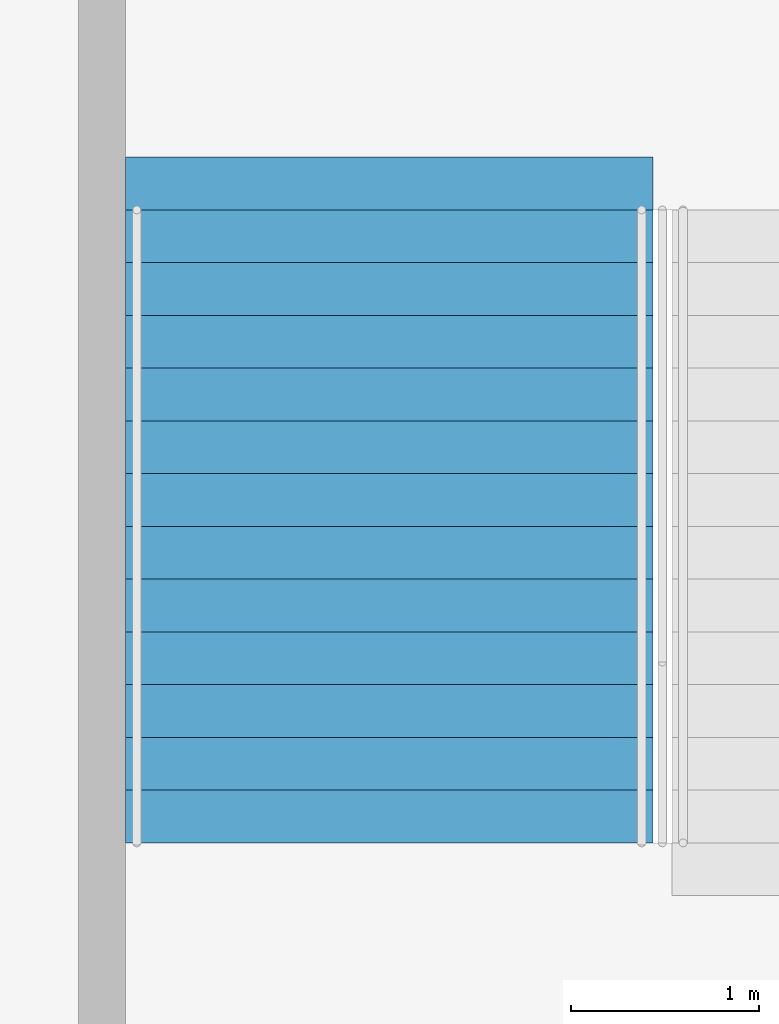
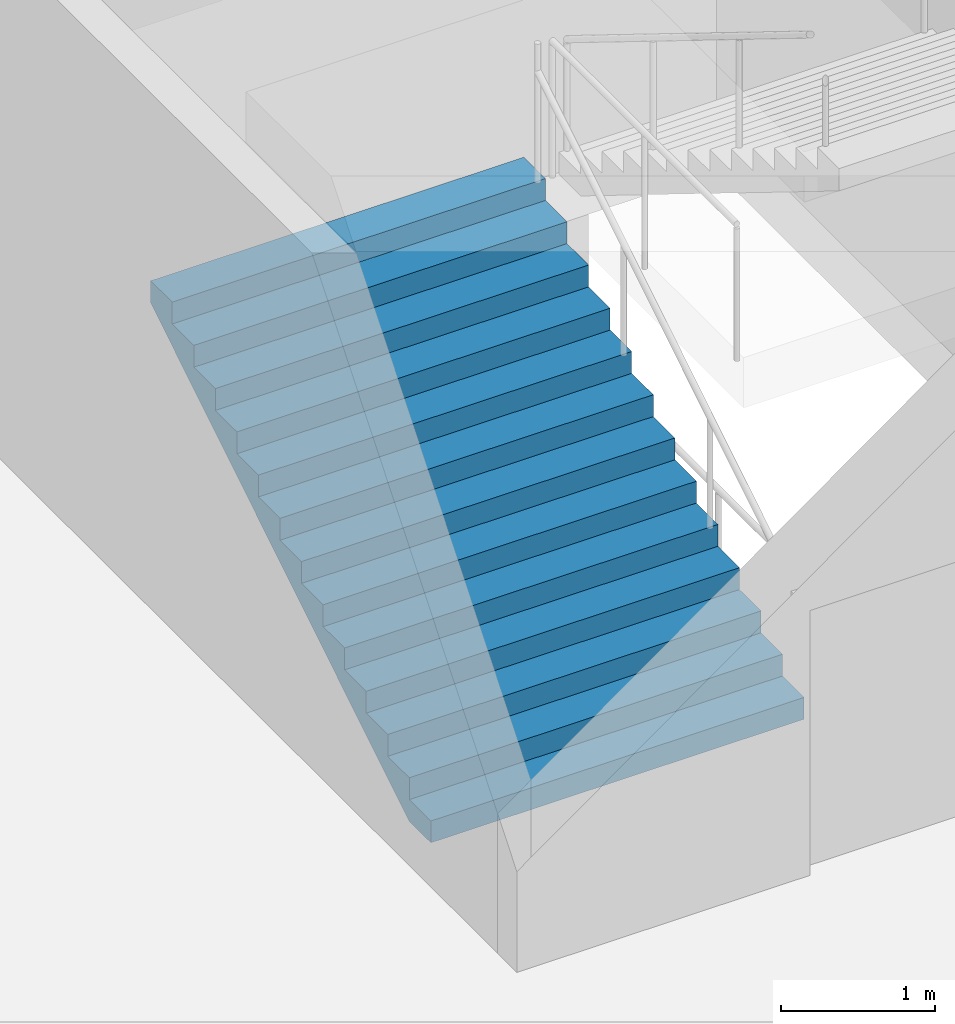
# One storey, part 207 of 249: 1 stair flight, 1 element without a shape of its own.
"""IFC4 building model written with IfcOpenShell, lengths in metres."""

from ifc_helpers import new_model, si_unit, direction, frame, origin, place, context, subcontext, project, spatial, faceted_brep, material, type_object, element, aggregate, save


model = new_model("IFC4")

# Units and contexts
model_context = context("Model", 3, precision=1e-05, world=origin(), true_north=direction((0.0, 1.0)))
body_context = subcontext(model_context, "Body", "Model", "MODEL_VIEW")
ifc_project = project(units=[si_unit("LENGTHUNIT", "METRE"), si_unit("AREAUNIT", "SQUARE_METRE"), si_unit("VOLUMEUNIT", "CUBIC_METRE"), si_unit("PLANEANGLEUNIT", "RADIAN"), si_unit("MASSUNIT", "GRAM", prefix="KILO")], contexts=[model_context])

# Site, building, storey
site_placement = place(None, origin())
site = spatial("IfcSite", under=ifc_project, at=site_placement, CompositionType="ELEMENT")
building_placement = place(site_placement, origin())
building = spatial("IfcBuilding", under=site, at=building_placement, Name="Ogive Plaza Stadium", CompositionType="ELEMENT")
storey_placement = place(building_placement, frame((0.0, 0.0, 13.5)))
storey = spatial("IfcBuildingStorey", under=building, at=storey_placement, Name="L03", CompositionType="ELEMENT", Elevation=13.5)

# Stair, stair flight
ifc_material_1 = material(Name="Concrete C40/50", Category="concrete")
stair_type = type_object("IfcStairType", Name="Exit stair", PredefinedType="STRAIGHT_RUN_STAIR", material=ifc_material_1)
stair_placement = place(storey_placement, origin())
stair = element("IfcStair", 1, at=stair_placement, inside=storey, type_object=stair_type, Name="Exit stair ST32B L03 to L04", PredefinedType="STRAIGHT_RUN_STAIR")
ifc_material_2 = material(Name="Concrete C40/50", Category="concrete")
stair_flight_type = type_object("IfcStairFlightType", Name="Exit stair flight", PredefinedType="STRAIGHT", material=ifc_material_2)
stair_flight_placement = place(storey_placement, frame((-38.425048828125, 94.85009765625, 0.0), z_axis=(0.0, 0.0, 1.0), x_axis=(0.0, 1.0, 0.0)))
stair_flight = element("IfcStairFlight", 2, at=stair_flight_placement, type_object=stair_flight_type, Name="ST32B flight 1", NumberOfRisers=13, NumberOfTreads=12, PredefinedType="STRAIGHT", RiserHeight=0.173076923, TreadLength=0.28, context=body_context, shape_type="Brep", body=[
    faceted_brep([(0.28515625, -1.39990234375, 0.0), (3.639892578125, -1.39990234375, 2.07373046875), (3.639892578125, -1.39990234375, 2.25), (3.360107421875, -1.39990234375, 2.25), (3.360107421875, -1.39990234375, 2.076904296875), (3.080078125, -1.39990234375, 2.076904296875), (3.080078125, -1.39990234375, 1.90380859375), (2.800048828125, -1.39990234375, 1.90380859375), (2.800048828125, -1.39990234375, 1.730712890625), (2.52001953125, -1.39990234375, 1.730712890625), (2.52001953125, -1.39990234375, 1.5576171875), (2.239990234375, -1.39990234375, 1.5576171875), (2.239990234375, -1.39990234375, 1.384521484375), (1.9599609375, -1.39990234375, 1.384521484375), (1.9599609375, -1.39990234375, 1.21142578125), (1.679931640625, -1.39990234375, 1.21142578125), (1.679931640625, -1.39990234375, 1.03857421875), (1.39990234375, -1.39990234375, 1.03857421875), (1.39990234375, -1.39990234375, 0.865478515625), (1.1201171875, -1.39990234375, 0.865478515625), (1.1201171875, -1.39990234375, 0.6923828125), (0.840087890625, -1.39990234375, 0.6923828125), (0.840087890625, -1.39990234375, 0.519287109375), (0.56005859375, -1.39990234375, 0.519287109375), (0.56005859375, -1.39990234375, 0.34619140625), (0.280029296875, -1.39990234375, 0.34619140625), (0.280029296875, -1.39990234375, 0.173095703125), (0.0, -1.39990234375, 0.173095703125), (0.0, -1.39990234375, 0.0), (0.0, 1.39990234375, 0.0), (0.0, 1.39990234375, 0.173095703125), (0.280029296875, 1.39990234375, 0.173095703125), (0.280029296875, 1.39990234375, 0.34619140625), (0.56005859375, 1.39990234375, 0.34619140625), (0.56005859375, 1.39990234375, 0.519287109375), (0.840087890625, 1.39990234375, 0.519287109375), (0.840087890625, 1.39990234375, 0.6923828125), (1.1201171875, 1.39990234375, 0.6923828125), (1.1201171875, 1.39990234375, 0.865478515625), (1.39990234375, 1.39990234375, 0.865478515625), (1.39990234375, 1.39990234375, 1.03857421875), (1.679931640625, 1.39990234375, 1.03857421875), (1.679931640625, 1.39990234375, 1.21142578125), (1.9599609375, 1.39990234375, 1.21142578125), (1.9599609375, 1.39990234375, 1.384521484375), (2.239990234375, 1.39990234375, 1.384521484375), (2.239990234375, 1.39990234375, 1.5576171875), (2.52001953125, 1.39990234375, 1.5576171875), (2.52001953125, 1.39990234375, 1.730712890625), (2.800048828125, 1.39990234375, 1.730712890625), (2.800048828125, 1.39990234375, 1.90380859375), (3.080078125, 1.39990234375, 1.90380859375), (3.080078125, 1.39990234375, 2.076904296875), (3.360107421875, 1.39990234375, 2.076904296875), (3.360107421875, 1.39990234375, 2.25), (3.639892578125, 1.39990234375, 2.25), (3.639892578125, 1.39990234375, 2.07373046875), (0.28515625, 1.39990234375, 0.0), (0.28515625, -1.0888671875, 0.0), (3.639892578125, -1.0888671875, 2.07373046875), (0.28515625, -0.77783203125, 0.0), (3.639892578125, -0.77783203125, 2.07373046875), (0.28515625, -0.466796875, 0.0), (3.639892578125, -0.466796875, 2.07373046875), (0.28515625, -0.155517578125, 0.0), (3.639892578125, -0.155517578125, 2.07373046875), (0.28515625, 0.155517578125, 0.0), (3.639892578125, 0.155517578125, 2.07373046875), (0.28515625, 0.466796875, 0.0), (3.639892578125, 0.466796875, 2.07373046875), (0.28515625, 0.77783203125, 0.0), (3.639892578125, 0.77783203125, 2.07373046875), (0.28515625, 1.0888671875, 0.0), (3.639892578125, 1.0888671875, 2.07373046875), (3.639892578125, -1.0888671875, 2.25), (3.639892578125, -0.77783203125, 2.25), (3.639892578125, -0.466796875, 2.25), (3.639892578125, -0.155517578125, 2.25), (3.639892578125, 0.155517578125, 2.25), (3.639892578125, 0.466796875, 2.25), (3.639892578125, 0.77783203125, 2.25), (3.639892578125, 1.0888671875, 2.25), (3.360107421875, -1.0888671875, 2.25), (3.360107421875, -0.77783203125, 2.25), (3.360107421875, -0.466796875, 2.25), (3.360107421875, -0.155517578125, 2.25), (3.360107421875, 0.155517578125, 2.25), (3.360107421875, 0.466796875, 2.25), (3.360107421875, 0.77783203125, 2.25), (3.360107421875, 1.0888671875, 2.25), (3.360107421875, -1.0888671875, 2.076904296875), (3.360107421875, -0.77783203125, 2.076904296875), (3.360107421875, -0.466796875, 2.076904296875), (3.360107421875, -0.155517578125, 2.076904296875), (3.360107421875, 0.155517578125, 2.076904296875), (3.360107421875, 0.466796875, 2.076904296875), (3.360107421875, 0.77783203125, 2.076904296875), (3.360107421875, 1.0888671875, 2.076904296875), (3.080078125, -1.0888671875, 2.076904296875), (3.080078125, -0.77783203125, 2.076904296875), (3.080078125, -0.466796875, 2.076904296875), (3.080078125, -0.155517578125, 2.076904296875), (3.080078125, 0.155517578125, 2.076904296875), (3.080078125, 0.466796875, 2.076904296875), (3.080078125, 0.77783203125, 2.076904296875), (3.080078125, 1.0888671875, 2.076904296875), (3.080078125, -1.0888671875, 1.90380859375), (3.080078125, -0.77783203125, 1.90380859375), (3.080078125, -0.466796875, 1.90380859375), (3.080078125, -0.155517578125, 1.90380859375), (3.080078125, 0.155517578125, 1.90380859375), (3.080078125, 0.466796875, 1.90380859375), (3.080078125, 0.77783203125, 1.90380859375), (3.080078125, 1.0888671875, 1.90380859375), (2.800048828125, -1.0888671875, 1.90380859375), (2.800048828125, -0.77783203125, 1.90380859375), (2.800048828125, -0.466796875, 1.90380859375), (2.800048828125, -0.155517578125, 1.90380859375), (2.800048828125, 0.155517578125, 1.90380859375), (2.800048828125, 0.466796875, 1.90380859375), (2.800048828125, 0.77783203125, 1.90380859375), (2.800048828125, 1.0888671875, 1.90380859375), (2.800048828125, -1.0888671875, 1.730712890625), (2.800048828125, -0.77783203125, 1.730712890625), (2.800048828125, -0.466796875, 1.730712890625), (2.800048828125, -0.155517578125, 1.730712890625), (2.800048828125, 0.155517578125, 1.730712890625), (2.800048828125, 0.466796875, 1.730712890625), (2.800048828125, 0.77783203125, 1.730712890625), (2.800048828125, 1.0888671875, 1.730712890625), (2.52001953125, -1.0888671875, 1.730712890625), (2.52001953125, -0.77783203125, 1.730712890625), (2.52001953125, -0.466796875, 1.730712890625), (2.52001953125, -0.155517578125, 1.730712890625), (2.52001953125, 0.155517578125, 1.730712890625), (2.52001953125, 0.466796875, 1.730712890625), (2.52001953125, 0.77783203125, 1.730712890625), (2.52001953125, 1.0888671875, 1.730712890625), (2.52001953125, -1.0888671875, 1.5576171875), (2.52001953125, -0.77783203125, 1.5576171875), (2.52001953125, -0.466796875, 1.5576171875), (2.52001953125, -0.155517578125, 1.5576171875), (2.52001953125, 0.155517578125, 1.5576171875), (2.52001953125, 0.466796875, 1.5576171875), (2.52001953125, 0.77783203125, 1.5576171875), (2.52001953125, 1.0888671875, 1.5576171875), (2.239990234375, -1.0888671875, 1.5576171875), (2.239990234375, -0.77783203125, 1.5576171875), (2.239990234375, -0.466796875, 1.5576171875), (2.239990234375, -0.155517578125, 1.5576171875), (2.239990234375, 0.155517578125, 1.5576171875), (2.239990234375, 0.466796875, 1.5576171875), (2.239990234375, 0.77783203125, 1.5576171875), (2.239990234375, 1.0888671875, 1.5576171875), (2.239990234375, -1.0888671875, 1.384521484375), (2.239990234375, -0.77783203125, 1.384521484375), (2.239990234375, -0.466796875, 1.384521484375), (2.239990234375, -0.155517578125, 1.384521484375), (2.239990234375, 0.155517578125, 1.384521484375), (2.239990234375, 0.466796875, 1.384521484375), (2.239990234375, 0.77783203125, 1.384521484375), (2.239990234375, 1.0888671875, 1.384521484375), (1.9599609375, -1.0888671875, 1.384521484375), (1.9599609375, -0.77783203125, 1.384521484375), (1.9599609375, -0.466796875, 1.384521484375), (1.9599609375, -0.155517578125, 1.384521484375), (1.9599609375, 0.155517578125, 1.384521484375), (1.9599609375, 0.466796875, 1.384521484375), (1.9599609375, 0.77783203125, 1.384521484375), (1.9599609375, 1.0888671875, 1.384521484375), (1.9599609375, -1.0888671875, 1.21142578125), (1.9599609375, -0.77783203125, 1.21142578125), (1.9599609375, -0.466796875, 1.21142578125), (1.9599609375, -0.155517578125, 1.21142578125), (1.9599609375, 0.155517578125, 1.21142578125), (1.9599609375, 0.466796875, 1.21142578125), (1.9599609375, 0.77783203125, 1.21142578125), (1.9599609375, 1.0888671875, 1.21142578125), (1.679931640625, -1.0888671875, 1.21142578125), (1.679931640625, -0.77783203125, 1.21142578125), (1.679931640625, -0.466796875, 1.21142578125), (1.679931640625, -0.155517578125, 1.21142578125), (1.679931640625, 0.155517578125, 1.21142578125), (1.679931640625, 0.466796875, 1.21142578125), (1.679931640625, 0.77783203125, 1.21142578125), (1.679931640625, 1.0888671875, 1.21142578125), (1.679931640625, -1.0888671875, 1.03857421875), (1.679931640625, -0.77783203125, 1.03857421875), (1.679931640625, -0.466796875, 1.03857421875), (1.679931640625, -0.155517578125, 1.03857421875), (1.679931640625, 0.155517578125, 1.03857421875), (1.679931640625, 0.466796875, 1.03857421875), (1.679931640625, 0.77783203125, 1.03857421875), (1.679931640625, 1.0888671875, 1.03857421875), (1.39990234375, -1.0888671875, 1.03857421875), (1.39990234375, -0.77783203125, 1.03857421875), (1.39990234375, -0.466796875, 1.03857421875), (1.39990234375, -0.155517578125, 1.03857421875), (1.39990234375, 0.155517578125, 1.03857421875), (1.39990234375, 0.466796875, 1.03857421875), (1.39990234375, 0.77783203125, 1.03857421875), (1.39990234375, 1.0888671875, 1.03857421875), (1.39990234375, -1.0888671875, 0.865478515625), (1.39990234375, -0.77783203125, 0.865478515625), (1.39990234375, -0.466796875, 0.865478515625), (1.39990234375, -0.155517578125, 0.865478515625), (1.39990234375, 0.155517578125, 0.865478515625), (1.39990234375, 0.466796875, 0.865478515625), (1.39990234375, 0.77783203125, 0.865478515625), (1.39990234375, 1.0888671875, 0.865478515625), (1.1201171875, -1.0888671875, 0.865478515625), (1.1201171875, -0.77783203125, 0.865478515625), (1.1201171875, -0.466796875, 0.865478515625), (1.1201171875, -0.155517578125, 0.865478515625), (1.1201171875, 0.155517578125, 0.865478515625), (1.1201171875, 0.466796875, 0.865478515625), (1.1201171875, 0.77783203125, 0.865478515625), (1.1201171875, 1.0888671875, 0.865478515625), (1.1201171875, -1.0888671875, 0.6923828125), (1.1201171875, -0.77783203125, 0.6923828125), (1.1201171875, -0.466796875, 0.6923828125), (1.1201171875, -0.155517578125, 0.6923828125), (1.1201171875, 0.155517578125, 0.6923828125), (1.1201171875, 0.466796875, 0.6923828125), (1.1201171875, 0.77783203125, 0.6923828125), (1.1201171875, 1.0888671875, 0.6923828125), (0.840087890625, -1.0888671875, 0.6923828125), (0.840087890625, -0.77783203125, 0.6923828125), (0.840087890625, -0.466796875, 0.6923828125), (0.840087890625, -0.155517578125, 0.6923828125), (0.840087890625, 0.155517578125, 0.6923828125), (0.840087890625, 0.466796875, 0.6923828125), (0.840087890625, 0.77783203125, 0.6923828125), (0.840087890625, 1.0888671875, 0.6923828125), (0.840087890625, -1.0888671875, 0.519287109375), (0.840087890625, -0.77783203125, 0.519287109375), (0.840087890625, -0.466796875, 0.519287109375), (0.840087890625, -0.155517578125, 0.519287109375), (0.840087890625, 0.155517578125, 0.519287109375), (0.840087890625, 0.466796875, 0.519287109375), (0.840087890625, 0.77783203125, 0.519287109375), (0.840087890625, 1.0888671875, 0.519287109375), (0.56005859375, -1.0888671875, 0.519287109375), (0.56005859375, -0.77783203125, 0.519287109375), (0.56005859375, -0.466796875, 0.519287109375), (0.56005859375, -0.155517578125, 0.519287109375), (0.56005859375, 0.155517578125, 0.519287109375), (0.56005859375, 0.466796875, 0.519287109375), (0.56005859375, 0.77783203125, 0.519287109375), (0.56005859375, 1.0888671875, 0.519287109375), (0.56005859375, -1.0888671875, 0.34619140625), (0.56005859375, -0.77783203125, 0.34619140625), (0.56005859375, -0.466796875, 0.34619140625), (0.56005859375, -0.155517578125, 0.34619140625), (0.56005859375, 0.155517578125, 0.34619140625), (0.56005859375, 0.466796875, 0.34619140625), (0.56005859375, 0.77783203125, 0.34619140625), (0.56005859375, 1.0888671875, 0.34619140625), (0.280029296875, -1.0888671875, 0.34619140625), (0.280029296875, -0.77783203125, 0.34619140625), (0.280029296875, -0.466796875, 0.34619140625), (0.280029296875, -0.155517578125, 0.34619140625), (0.280029296875, 0.155517578125, 0.34619140625), (0.280029296875, 0.466796875, 0.34619140625), (0.280029296875, 0.77783203125, 0.34619140625), (0.280029296875, 1.0888671875, 0.34619140625), (0.280029296875, -1.0888671875, 0.173095703125), (0.280029296875, -0.77783203125, 0.173095703125), (0.280029296875, -0.466796875, 0.173095703125), (0.280029296875, -0.155517578125, 0.173095703125), (0.280029296875, 0.155517578125, 0.173095703125), (0.280029296875, 0.466796875, 0.173095703125), (0.280029296875, 0.77783203125, 0.173095703125), (0.280029296875, 1.0888671875, 0.173095703125), (0.0, -1.0888671875, 0.173095703125), (0.0, -0.77783203125, 0.173095703125), (0.0, -0.466796875, 0.173095703125), (0.0, -0.155517578125, 0.173095703125), (0.0, 0.155517578125, 0.173095703125), (0.0, 0.466796875, 0.173095703125), (0.0, 0.77783203125, 0.173095703125), (0.0, 1.0888671875, 0.173095703125), (0.0, -1.0888671875, 0.0), (0.0, -0.77783203125, 0.0), (0.0, -0.466796875, 0.0), (0.0, -0.155517578125, 0.0), (0.0, 0.155517578125, 0.0), (0.0, 0.466796875, 0.0), (0.0, 0.77783203125, 0.0), (0.0, 1.0888671875, 0.0)], [[[0, 1, 2, 3, 4, 5, 6, 7, 8, 9, 10, 11, 12, 13, 14, 15, 16, 17, 18, 19, 20, 21, 22, 23, 24, 25, 26, 27, 28]], [[29, 30, 31, 32, 33, 34, 35, 36, 37, 38, 39, 40, 41, 42, 43, 44, 45, 46, 47, 48, 49, 50, 51, 52, 53, 54, 55, 56, 57]], [[0, 58, 59, 1]], [[58, 60, 61, 59]], [[60, 62, 63, 61]], [[62, 64, 65, 63]], [[64, 66, 67, 65]], [[66, 68, 69, 67]], [[68, 70, 71, 69]], [[70, 72, 73, 71]], [[72, 57, 56, 73]], [[1, 59, 74, 2]], [[59, 61, 75, 74]], [[61, 63, 76, 75]], [[63, 65, 77, 76]], [[65, 67, 78, 77]], [[67, 69, 79, 78]], [[69, 71, 80, 79]], [[71, 73, 81, 80]], [[73, 56, 55, 81]], [[2, 74, 82, 3]], [[74, 75, 83, 82]], [[75, 76, 84, 83]], [[76, 77, 85, 84]], [[77, 78, 86, 85]], [[78, 79, 87, 86]], [[79, 80, 88, 87]], [[80, 81, 89, 88]], [[81, 55, 54, 89]], [[3, 82, 90, 4]], [[82, 83, 91, 90]], [[83, 84, 92, 91]], [[84, 85, 93, 92]], [[85, 86, 94, 93]], [[86, 87, 95, 94]], [[87, 88, 96, 95]], [[88, 89, 97, 96]], [[89, 54, 53, 97]], [[4, 90, 98, 5]], [[90, 91, 99, 98]], [[91, 92, 100, 99]], [[92, 93, 101, 100]], [[93, 94, 102, 101]], [[94, 95, 103, 102]], [[95, 96, 104, 103]], [[96, 97, 105, 104]], [[97, 53, 52, 105]], [[5, 98, 106, 6]], [[98, 99, 107, 106]], [[99, 100, 108, 107]], [[100, 101, 109, 108]], [[101, 102, 110, 109]], [[102, 103, 111, 110]], [[103, 104, 112, 111]], [[104, 105, 113, 112]], [[105, 52, 51, 113]], [[6, 106, 114, 7]], [[106, 107, 115, 114]], [[107, 108, 116, 115]], [[108, 109, 117, 116]], [[109, 110, 118, 117]], [[110, 111, 119, 118]], [[111, 112, 120, 119]], [[112, 113, 121, 120]], [[113, 51, 50, 121]], [[7, 114, 122, 8]], [[114, 115, 123, 122]], [[115, 116, 124, 123]], [[116, 117, 125, 124]], [[117, 118, 126, 125]], [[118, 119, 127, 126]], [[119, 120, 128, 127]], [[120, 121, 129, 128]], [[121, 50, 49, 129]], [[8, 122, 130, 9]], [[122, 123, 131, 130]], [[123, 124, 132, 131]], [[124, 125, 133, 132]], [[125, 126, 134, 133]], [[126, 127, 135, 134]], [[127, 128, 136, 135]], [[128, 129, 137, 136]], [[129, 49, 48, 137]], [[9, 130, 138, 10]], [[130, 131, 139, 138]], [[131, 132, 140, 139]], [[132, 133, 141, 140]], [[133, 134, 142, 141]], [[134, 135, 143, 142]], [[135, 136, 144, 143]], [[136, 137, 145, 144]], [[137, 48, 47, 145]], [[10, 138, 146, 11]], [[138, 139, 147, 146]], [[139, 140, 148, 147]], [[140, 141, 149, 148]], [[141, 142, 150, 149]], [[142, 143, 151, 150]], [[143, 144, 152, 151]], [[144, 145, 153, 152]], [[145, 47, 46, 153]], [[11, 146, 154, 12]], [[146, 147, 155, 154]], [[147, 148, 156, 155]], [[148, 149, 157, 156]], [[149, 150, 158, 157]], [[150, 151, 159, 158]], [[151, 152, 160, 159]], [[152, 153, 161, 160]], [[153, 46, 45, 161]], [[12, 154, 162, 13]], [[154, 155, 163, 162]], [[155, 156, 164, 163]], [[156, 157, 165, 164]], [[157, 158, 166, 165]], [[158, 159, 167, 166]], [[159, 160, 168, 167]], [[160, 161, 169, 168]], [[161, 45, 44, 169]], [[13, 162, 170, 14]], [[162, 163, 171, 170]], [[163, 164, 172, 171]], [[164, 165, 173, 172]], [[165, 166, 174, 173]], [[166, 167, 175, 174]], [[167, 168, 176, 175]], [[168, 169, 177, 176]], [[169, 44, 43, 177]], [[14, 170, 178, 15]], [[170, 171, 179, 178]], [[171, 172, 180, 179]], [[172, 173, 181, 180]], [[173, 174, 182, 181]], [[174, 175, 183, 182]], [[175, 176, 184, 183]], [[176, 177, 185, 184]], [[177, 43, 42, 185]], [[15, 178, 186, 16]], [[178, 179, 187, 186]], [[179, 180, 188, 187]], [[180, 181, 189, 188]], [[181, 182, 190, 189]], [[182, 183, 191, 190]], [[183, 184, 192, 191]], [[184, 185, 193, 192]], [[185, 42, 41, 193]], [[16, 186, 194, 17]], [[186, 187, 195, 194]], [[187, 188, 196, 195]], [[188, 189, 197, 196]], [[189, 190, 198, 197]], [[190, 191, 199, 198]], [[191, 192, 200, 199]], [[192, 193, 201, 200]], [[193, 41, 40, 201]], [[17, 194, 202, 18]], [[194, 195, 203, 202]], [[195, 196, 204, 203]], [[196, 197, 205, 204]], [[197, 198, 206, 205]], [[198, 199, 207, 206]], [[199, 200, 208, 207]], [[200, 201, 209, 208]], [[201, 40, 39, 209]], [[18, 202, 210, 19]], [[202, 203, 211, 210]], [[203, 204, 212, 211]], [[204, 205, 213, 212]], [[205, 206, 214, 213]], [[206, 207, 215, 214]], [[207, 208, 216, 215]], [[208, 209, 217, 216]], [[209, 39, 38, 217]], [[19, 210, 218, 20]], [[210, 211, 219, 218]], [[211, 212, 220, 219]], [[212, 213, 221, 220]], [[213, 214, 222, 221]], [[214, 215, 223, 222]], [[215, 216, 224, 223]], [[216, 217, 225, 224]], [[217, 38, 37, 225]], [[20, 218, 226, 21]], [[218, 219, 227, 226]], [[219, 220, 228, 227]], [[220, 221, 229, 228]], [[221, 222, 230, 229]], [[222, 223, 231, 230]], [[223, 224, 232, 231]], [[224, 225, 233, 232]], [[225, 37, 36, 233]], [[21, 226, 234, 22]], [[226, 227, 235, 234]], [[227, 228, 236, 235]], [[228, 229, 237, 236]], [[229, 230, 238, 237]], [[230, 231, 239, 238]], [[231, 232, 240, 239]], [[232, 233, 241, 240]], [[233, 36, 35, 241]], [[22, 234, 242, 23]], [[234, 235, 243, 242]], [[235, 236, 244, 243]], [[236, 237, 245, 244]], [[237, 238, 246, 245]], [[238, 239, 247, 246]], [[239, 240, 248, 247]], [[240, 241, 249, 248]], [[241, 35, 34, 249]], [[23, 242, 250, 24]], [[242, 243, 251, 250]], [[243, 244, 252, 251]], [[244, 245, 253, 252]], [[245, 246, 254, 253]], [[246, 247, 255, 254]], [[247, 248, 256, 255]], [[248, 249, 257, 256]], [[249, 34, 33, 257]], [[24, 250, 258, 25]], [[250, 251, 259, 258]], [[251, 252, 260, 259]], [[252, 253, 261, 260]], [[253, 254, 262, 261]], [[254, 255, 263, 262]], [[255, 256, 264, 263]], [[256, 257, 265, 264]], [[257, 33, 32, 265]], [[25, 258, 266, 26]], [[258, 259, 267, 266]], [[259, 260, 268, 267]], [[260, 261, 269, 268]], [[261, 262, 270, 269]], [[262, 263, 271, 270]], [[263, 264, 272, 271]], [[264, 265, 273, 272]], [[265, 32, 31, 273]], [[26, 266, 274, 27]], [[266, 267, 275, 274]], [[267, 268, 276, 275]], [[268, 269, 277, 276]], [[269, 270, 278, 277]], [[270, 271, 279, 278]], [[271, 272, 280, 279]], [[272, 273, 281, 280]], [[273, 31, 30, 281]], [[27, 274, 282, 28]], [[274, 275, 283, 282]], [[275, 276, 284, 283]], [[276, 277, 285, 284]], [[277, 278, 286, 285]], [[278, 279, 287, 286]], [[279, 280, 288, 287]], [[280, 281, 289, 288]], [[281, 30, 29, 289]], [[28, 282, 58, 0]], [[282, 283, 60, 58]], [[283, 284, 62, 60]], [[284, 285, 64, 62]], [[285, 286, 66, 64]], [[286, 287, 68, 66]], [[287, 288, 70, 68]], [[288, 289, 72, 70]], [[289, 29, 57, 72]]]),
])
aggregate(stair, [stair_flight])

save(model, "model.ifc")
